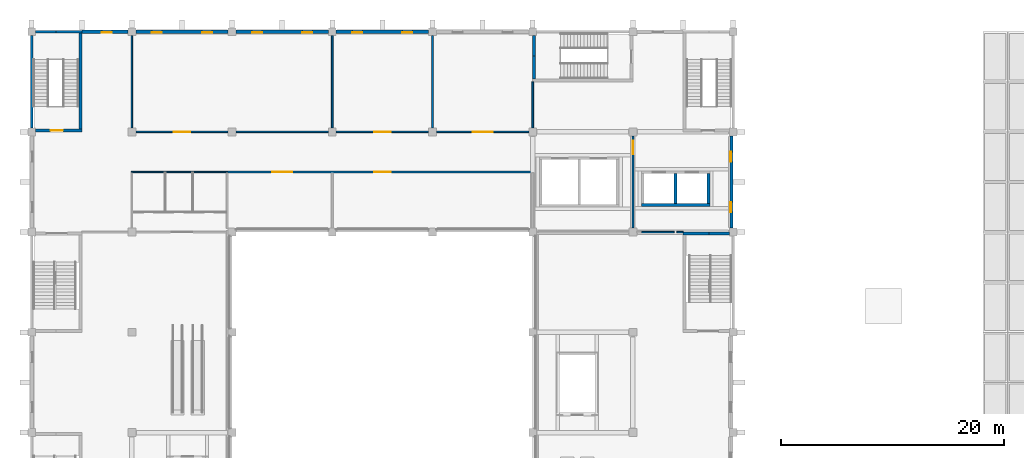
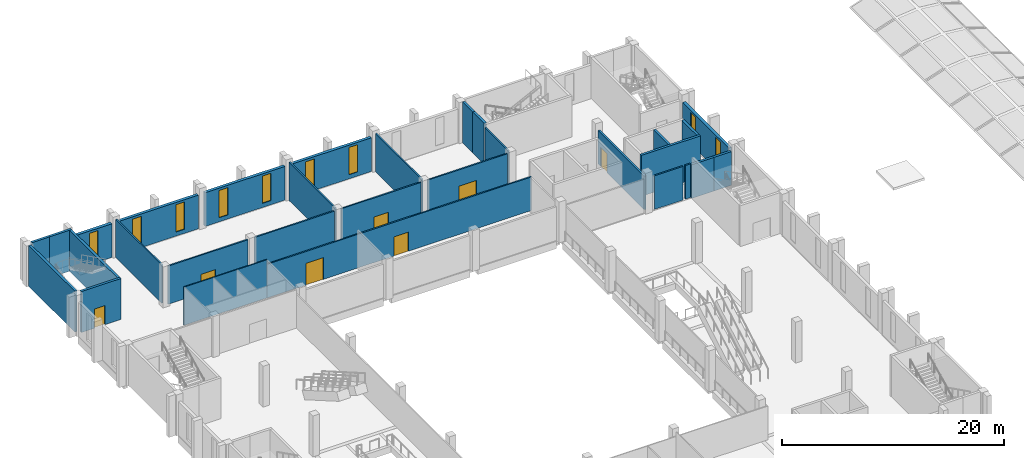
# One storey, part 29 of 45: 30 walls, 9 windows, 7 doors, 16 openings.
"""IFC4 building model written with IfcOpenShell, lengths in metres."""

from ifc_helpers import new_model, si_unit, direction, frame, frame_2d, origin, place, context, subcontext, project, spatial, rectangle, extrude, material, layer, layer_set, type_object, element, fill, save


model = new_model("IFC4")

# Units and contexts
model_context = context("Model", 3, precision=1e-05, world=origin(), true_north=direction((0.0, 1.0)))
body_context = subcontext(model_context, "Body", "Model", "MODEL_VIEW")
ifc_project = project(units=[si_unit("LENGTHUNIT", "METRE"), si_unit("AREAUNIT", "SQUARE_METRE"), si_unit("VOLUMEUNIT", "CUBIC_METRE"), si_unit("PLANEANGLEUNIT", "RADIAN"), si_unit("MASSUNIT", "GRAM", prefix="KILO")], contexts=[model_context])

# Site, building, storey
site_placement = place(None, origin())
site = spatial("IfcSite", under=ifc_project, at=site_placement, CompositionType="ELEMENT")
building_placement = place(site_placement, origin())
building = spatial("IfcBuilding", under=site, at=building_placement, Name="Guidao Yard Department Store", CompositionType="ELEMENT")
storey_placement = place(building_placement, frame((0.0, 0.0, 19.5)))
storey = spatial("IfcBuildingStorey", under=building, at=storey_placement, Name="L04", CompositionType="ELEMENT", Elevation=19.5)

# Wall, opening, door
ifc_material_1 = material(Name="Concrete block MU10", Category="concrete")
ifc_layer_1 = layer(ifc_material_1, 0.199951171875)
ifc_layer_set_1 = layer_set([ifc_layer_1], Name="Fire Wall P3 200 mm blockwork EI 120")
wall_type_1 = type_object("IfcWallType", Name="Fire Wall P3 200 mm blockwork EI 120", PredefinedType="PARTITIONING", material=ifc_layer_set_1)
wall_1_placement = place(storey_placement, frame((54.0, 90.35009765625, 0.0), z_axis=(0.0, 0.0, 1.0), x_axis=(0.0, 1.0, 0.0)))
wall_1 = element("IfcWall", 1, at=wall_1_placement, inside=storey, type_object=wall_type_1, Name="Wall W-HL04-022", PredefinedType="PARTITIONING", context=body_context, shape_type="SweptSolid", body=[
    extrude(rectangle(XDim=8.2998046875, YDim=0.199951171875, at=frame_2d((4.14990234375, 0.0))), origin(), (0.0, 0.0, 1.0), 3.699951171875),
])
opening_1_placement = place(wall_1_placement, frame((7.849853515625, 0.0, 0.0), z_axis=(0.0, 0.0, 1.0), x_axis=(-1.0, 0.0, 0.0)))
opening_1 = element("IfcOpeningElement", 2, at=opening_1_placement, cuts=wall_1, Name="Opening HL04-011", PredefinedType="OPENING", context=body_context, shape_type="SweptSolid", body=[
    extrude(rectangle(XDim=1.199951171875, YDim=2.10009765625, at=frame_2d((0.60009765625, 1.050048828125))), frame((0.0, 0.10986328125, 0.0), z_axis=(0.0, -1.0, 0.0), x_axis=(1.0, 0.0, 0.0)), (0.0, 0.0, 1.0), 0.219970703125),
])
ifc_material_2 = material(Name="Steel Q235", Category="steel")
door_type_1 = type_object("IfcDoorType", Name="Door FD21 lobby 1200 x 2100 FD90 self-closing", OperationType="SINGLE_SWING_LEFT", PredefinedType="DOOR", material=ifc_material_2)
door_1_placement = place(opening_1_placement, origin())
door_1 = element("IfcDoor", 3, at=door_1_placement, inside=storey, type_object=door_type_1, Name="Door HL04-011", OperationType="SINGLE_SWING_LEFT", OverallHeight=2.10009765625, OverallWidth=1.199951171875, PredefinedType="DOOR", context=body_context, shape_type="SweptSolid", body=[
    extrude(rectangle(XDim=1.199951171875, YDim=2.10009765625, at=frame_2d((0.60009765625, 1.050048828125))), frame((0.0, 0.02490234375, 0.0), z_axis=(0.0, -1.0, 0.0), x_axis=(1.0, 0.0, 0.0)), (0.0, 0.0, 1.0), 0.050048828125),
])
fill(opening_1, door_1)

# Wall, opening, window
ifc_material_3 = material(Name="Concrete C35", Category="concrete")
ifc_layer_2 = layer(ifc_material_3, 0.300048828125)
ifc_layer_set_2 = layer_set([ifc_layer_2], Name="Hall facade wall 300 C35")
wall_type_2 = type_object("IfcWallType", Name="Hall facade wall 300 C35", PredefinedType="SOLIDWALL", material=ifc_layer_set_2)
wall_2_placement = place(storey_placement, frame((4.5, 108.0, 0.0), z_axis=(0.0, 0.0, 1.0), x_axis=(1.0, 0.0, 0.0)))
wall_2 = element("IfcWall", 4, at=wall_2_placement, inside=storey, type_object=wall_type_2, Name="Hall facade wall", PredefinedType="SOLIDWALL", context=body_context, shape_type="SweptSolid", body=[
    extrude(rectangle(XDim=4.14990234375, YDim=0.300048828125, at=frame_2d((2.074951171875, 0.0))), origin(), (0.0, 0.0, 1.0), 3.699951171875),
])
opening_2_placement = place(wall_2_placement, frame((1.800048828125, 0.0, 0.449951171875)))
opening_2 = element("IfcOpeningElement", 5, at=opening_2_placement, cuts=wall_2, Name="Opening WN-L04-E09", PredefinedType="OPENING", context=body_context, shape_type="SweptSolid", body=[
    extrude(rectangle(XDim=0.89990234375, YDim=3.0, at=frame_2d((0.449951171875, 1.5))), frame((0.0, 0.159912109375, 0.0), z_axis=(0.0, -1.0, 0.0), x_axis=(1.0, 0.0, 0.0)), (0.0, 0.0, 1.0), 0.320068359375),
])
ifc_material_4 = material(Name="Laminated glass in aluminium frame", Category="aluminium")
window_type = type_object("IfcWindowType", Name="Slot window SL1 900 x 3000 fixed", PartitioningType="SINGLE_PANEL", PredefinedType="WINDOW", material=ifc_material_4)
window_1_placement = place(opening_2_placement, origin())
window_1 = element("IfcWindow", 6, at=window_1_placement, inside=storey, type_object=window_type, Name="Slot window", OverallHeight=3.0, OverallWidth=0.89990234375, PartitioningType="SINGLE_PANEL", PredefinedType="WINDOW", context=body_context, shape_type="SweptSolid", body=[
    extrude(rectangle(XDim=0.89990234375, YDim=3.0, at=frame_2d((0.449951171875, 1.5))), frame((0.0, -0.030029296875, 0.0), z_axis=(0.0, -1.0, 0.0), x_axis=(1.0, 0.0, 0.0)), (0.0, 0.0, 1.0), 0.06005859375),
])
fill(opening_2, window_1)

# Wall, openings, windows
wall_3_placement = place(storey_placement, frame((9.35009765625, 108.0, 0.0), z_axis=(0.0, 0.0, 1.0), x_axis=(1.0, 0.0, 0.0)))
wall_3 = element("IfcWall", 7, at=wall_3_placement, inside=storey, type_object=wall_type_2, Name="Hall facade wall", PredefinedType="SOLIDWALL", context=body_context, shape_type="SweptSolid", body=[
    extrude(rectangle(XDim=8.2998046875, YDim=0.300048828125, at=frame_2d((4.14990234375, 0.0))), origin(), (0.0, 0.0, 1.0), 3.699951171875),
])
opening_3_placement = place(wall_3_placement, frame((1.449951171875, 0.0, 0.449951171875)))
opening_3 = element("IfcOpeningElement", 8, at=opening_3_placement, cuts=wall_3, Name="Opening WN-L04-E10", PredefinedType="OPENING", context=body_context, shape_type="SweptSolid", body=[
    extrude(rectangle(XDim=0.89990234375, YDim=3.0, at=frame_2d((0.449951171875, 1.5))), frame((0.0, 0.159912109375, 0.0), z_axis=(0.0, -1.0, 0.0), x_axis=(1.0, 0.0, 0.0)), (0.0, 0.0, 1.0), 0.320068359375),
])
opening_4_placement = place(wall_3_placement, frame((5.949951171875, 0.0, 0.449951171875)))
opening_4 = element("IfcOpeningElement", 9, at=opening_4_placement, cuts=wall_3, Name="Opening WN-L04-E11", PredefinedType="OPENING", context=body_context, shape_type="SweptSolid", body=[
    extrude(rectangle(XDim=0.89990234375, YDim=3.0, at=frame_2d((0.449951171875, 1.5))), frame((0.0, 0.159912109375, 0.0), z_axis=(0.0, -1.0, 0.0), x_axis=(1.0, 0.0, 0.0)), (0.0, 0.0, 1.0), 0.320068359375),
])
window_2_placement = place(opening_3_placement, origin())
window_2 = element("IfcWindow", 10, at=window_2_placement, inside=storey, type_object=window_type, Name="Slot window", OverallHeight=3.0, OverallWidth=0.89990234375, PartitioningType="SINGLE_PANEL", PredefinedType="WINDOW", context=body_context, shape_type="SweptSolid", body=[
    extrude(rectangle(XDim=0.89990234375, YDim=3.0, at=frame_2d((0.449951171875, 1.5))), frame((0.0, -0.030029296875, 0.0), z_axis=(0.0, -1.0, 0.0), x_axis=(1.0, 0.0, 0.0)), (0.0, 0.0, 1.0), 0.06005859375),
])
fill(opening_3, window_2)
window_3_placement = place(opening_4_placement, origin())
window_3 = element("IfcWindow", 11, at=window_3_placement, inside=storey, type_object=window_type, Name="Slot window", OverallHeight=3.0, OverallWidth=0.89990234375, PartitioningType="SINGLE_PANEL", PredefinedType="WINDOW", context=body_context, shape_type="SweptSolid", body=[
    extrude(rectangle(XDim=0.89990234375, YDim=3.0, at=frame_2d((0.449951171875, 1.5))), frame((0.0, -0.030029296875, 0.0), z_axis=(0.0, -1.0, 0.0), x_axis=(1.0, 0.0, 0.0)), (0.0, 0.0, 1.0), 0.06005859375),
])
fill(opening_4, window_3)

wall_4_placement = place(storey_placement, frame((18.35009765625, 108.0, 0.0), z_axis=(0.0, 0.0, 1.0), x_axis=(1.0, 0.0, 0.0)))
wall_4 = element("IfcWall", 12, at=wall_4_placement, inside=storey, type_object=wall_type_2, Name="Hall facade wall", PredefinedType="SOLIDWALL", context=body_context, shape_type="SweptSolid", body=[
    extrude(rectangle(XDim=8.2998046875, YDim=0.300048828125, at=frame_2d((4.14990234375, 0.0))), origin(), (0.0, 0.0, 1.0), 3.699951171875),
])
opening_5_placement = place(wall_4_placement, frame((1.449951171875, 0.0, 0.449951171875)))
opening_5 = element("IfcOpeningElement", 13, at=opening_5_placement, cuts=wall_4, Name="Opening WN-L04-E12", PredefinedType="OPENING", context=body_context, shape_type="SweptSolid", body=[
    extrude(rectangle(XDim=0.89990234375, YDim=3.0, at=frame_2d((0.449951171875, 1.5))), frame((0.0, 0.159912109375, 0.0), z_axis=(0.0, -1.0, 0.0), x_axis=(1.0, 0.0, 0.0)), (0.0, 0.0, 1.0), 0.320068359375),
])
opening_6_placement = place(wall_4_placement, frame((5.949951171875, 0.0, 0.449951171875)))
opening_6 = element("IfcOpeningElement", 14, at=opening_6_placement, cuts=wall_4, Name="Opening WN-L04-E13", PredefinedType="OPENING", context=body_context, shape_type="SweptSolid", body=[
    extrude(rectangle(XDim=0.89990234375, YDim=3.0, at=frame_2d((0.449951171875, 1.5))), frame((0.0, 0.159912109375, 0.0), z_axis=(0.0, -1.0, 0.0), x_axis=(1.0, 0.0, 0.0)), (0.0, 0.0, 1.0), 0.320068359375),
])
window_4_placement = place(opening_5_placement, origin())
window_4 = element("IfcWindow", 15, at=window_4_placement, inside=storey, type_object=window_type, Name="Slot window", OverallHeight=3.0, OverallWidth=0.89990234375, PartitioningType="SINGLE_PANEL", PredefinedType="WINDOW", context=body_context, shape_type="SweptSolid", body=[
    extrude(rectangle(XDim=0.89990234375, YDim=3.0, at=frame_2d((0.449951171875, 1.5))), frame((0.0, -0.030029296875, 0.0), z_axis=(0.0, -1.0, 0.0), x_axis=(1.0, 0.0, 0.0)), (0.0, 0.0, 1.0), 0.06005859375),
])
fill(opening_5, window_4)
window_5_placement = place(opening_6_placement, origin())
window_5 = element("IfcWindow", 16, at=window_5_placement, inside=storey, type_object=window_type, Name="Slot window", OverallHeight=3.0, OverallWidth=0.89990234375, PartitioningType="SINGLE_PANEL", PredefinedType="WINDOW", context=body_context, shape_type="SweptSolid", body=[
    extrude(rectangle(XDim=0.89990234375, YDim=3.0, at=frame_2d((0.449951171875, 1.5))), frame((0.0, -0.030029296875, 0.0), z_axis=(0.0, -1.0, 0.0), x_axis=(1.0, 0.0, 0.0)), (0.0, 0.0, 1.0), 0.06005859375),
])
fill(opening_6, window_5)

wall_5_placement = place(storey_placement, frame((27.35009765625, 108.0, 0.0), z_axis=(0.0, 0.0, 1.0), x_axis=(1.0, 0.0, 0.0)))
wall_5 = element("IfcWall", 17, at=wall_5_placement, inside=storey, type_object=wall_type_2, Name="Hall facade wall", PredefinedType="SOLIDWALL", context=body_context, shape_type="SweptSolid", body=[
    extrude(rectangle(XDim=8.2998046875, YDim=0.300048828125, at=frame_2d((4.14990234375, 0.0))), origin(), (0.0, 0.0, 1.0), 3.699951171875),
])
opening_7_placement = place(wall_5_placement, frame((1.449951171875, 0.0, 0.449951171875)))
opening_7 = element("IfcOpeningElement", 18, at=opening_7_placement, cuts=wall_5, Name="Opening WN-L04-E14", PredefinedType="OPENING", context=body_context, shape_type="SweptSolid", body=[
    extrude(rectangle(XDim=0.89990234375, YDim=3.0, at=frame_2d((0.449951171875, 1.5))), frame((0.0, 0.159912109375, 0.0), z_axis=(0.0, -1.0, 0.0), x_axis=(1.0, 0.0, 0.0)), (0.0, 0.0, 1.0), 0.320068359375),
])
opening_8_placement = place(wall_5_placement, frame((5.949951171875, 0.0, 0.449951171875)))
opening_8 = element("IfcOpeningElement", 19, at=opening_8_placement, cuts=wall_5, Name="Opening WN-L04-E15", PredefinedType="OPENING", context=body_context, shape_type="SweptSolid", body=[
    extrude(rectangle(XDim=0.89990234375, YDim=3.0, at=frame_2d((0.449951171875, 1.5))), frame((0.0, 0.159912109375, 0.0), z_axis=(0.0, -1.0, 0.0), x_axis=(1.0, 0.0, 0.0)), (0.0, 0.0, 1.0), 0.320068359375),
])
window_6_placement = place(opening_7_placement, origin())
window_6 = element("IfcWindow", 20, at=window_6_placement, inside=storey, type_object=window_type, Name="Slot window", OverallHeight=3.0, OverallWidth=0.89990234375, PartitioningType="SINGLE_PANEL", PredefinedType="WINDOW", context=body_context, shape_type="SweptSolid", body=[
    extrude(rectangle(XDim=0.89990234375, YDim=3.0, at=frame_2d((0.449951171875, 1.5))), frame((0.0, -0.030029296875, 0.0), z_axis=(0.0, -1.0, 0.0), x_axis=(1.0, 0.0, 0.0)), (0.0, 0.0, 1.0), 0.06005859375),
])
fill(opening_7, window_6)
window_7_placement = place(opening_8_placement, origin())
window_7 = element("IfcWindow", 21, at=window_7_placement, inside=storey, type_object=window_type, Name="Slot window", OverallHeight=3.0, OverallWidth=0.89990234375, PartitioningType="SINGLE_PANEL", PredefinedType="WINDOW", context=body_context, shape_type="SweptSolid", body=[
    extrude(rectangle(XDim=0.89990234375, YDim=3.0, at=frame_2d((0.449951171875, 1.5))), frame((0.0, -0.030029296875, 0.0), z_axis=(0.0, -1.0, 0.0), x_axis=(1.0, 0.0, 0.0)), (0.0, 0.0, 1.0), 0.06005859375),
])
fill(opening_8, window_7)

wall_6_placement = place(storey_placement, frame((62.85009765625, 98.64990234375, 0.0), z_axis=(0.0, 0.0, 1.0), x_axis=(0.0, -1.0, 0.0)))
wall_6 = element("IfcWall", 22, at=wall_6_placement, inside=storey, type_object=wall_type_2, Name="Hall facade wall", PredefinedType="SOLIDWALL", context=body_context, shape_type="SweptSolid", body=[
    extrude(rectangle(XDim=8.2998046875, YDim=0.300048828125, at=frame_2d((4.14990234375, 0.0))), origin(), (0.0, 0.0, 1.0), 3.699951171875),
])
opening_9_placement = place(wall_6_placement, frame((5.949951171875, 0.0, 0.449951171875)))
opening_9 = element("IfcOpeningElement", 23, at=opening_9_placement, cuts=wall_6, Name="Opening WN-L04-E25", PredefinedType="OPENING", context=body_context, shape_type="SweptSolid", body=[
    extrude(rectangle(XDim=0.89990234375, YDim=3.0, at=frame_2d((0.449951171875, 1.5))), frame((0.0, 0.159912109375, 0.0), z_axis=(0.0, -1.0, 0.0), x_axis=(1.0, 0.0, 0.0)), (0.0, 0.0, 1.0), 0.320068359375),
])
opening_10_placement = place(wall_6_placement, frame((1.449951171875, 0.0, 0.449951171875)))
opening_10 = element("IfcOpeningElement", 24, at=opening_10_placement, cuts=wall_6, Name="Opening WN-L04-E26", PredefinedType="OPENING", context=body_context, shape_type="SweptSolid", body=[
    extrude(rectangle(XDim=0.89990234375, YDim=3.0, at=frame_2d((0.449951171875, 1.5))), frame((0.0, 0.159912109375, 0.0), z_axis=(0.0, -1.0, 0.0), x_axis=(1.0, 0.0, 0.0)), (0.0, 0.0, 1.0), 0.320068359375),
])
window_8_placement = place(opening_9_placement, origin())
window_8 = element("IfcWindow", 25, at=window_8_placement, inside=storey, type_object=window_type, Name="Slot window", OverallHeight=3.0, OverallWidth=0.89990234375, PartitioningType="SINGLE_PANEL", PredefinedType="WINDOW", context=body_context, shape_type="SweptSolid", body=[
    extrude(rectangle(XDim=0.89990234375, YDim=3.0, at=frame_2d((0.449951171875, 1.5))), frame((0.0, -0.030029296875, 0.0), z_axis=(0.0, -1.0, 0.0), x_axis=(1.0, 0.0, 0.0)), (0.0, 0.0, 1.0), 0.06005859375),
])
fill(opening_9, window_8)
window_9_placement = place(opening_10_placement, origin())
window_9 = element("IfcWindow", 26, at=window_9_placement, inside=storey, type_object=window_type, Name="Slot window", OverallHeight=3.0, OverallWidth=0.89990234375, PartitioningType="SINGLE_PANEL", PredefinedType="WINDOW", context=body_context, shape_type="SweptSolid", body=[
    extrude(rectangle(XDim=0.89990234375, YDim=3.0, at=frame_2d((0.449951171875, 1.5))), frame((0.0, -0.030029296875, 0.0), z_axis=(0.0, -1.0, 0.0), x_axis=(1.0, 0.0, 0.0)), (0.0, 0.0, 1.0), 0.06005859375),
])
fill(opening_10, window_9)

# Walls
ifc_material_5 = material(Name="Gypsum board on Steel Q235 studs", Category="steel")
ifc_layer_3 = layer(ifc_material_5, 0.10009765625)
ifc_layer_set_3 = layer_set([ifc_layer_3], Name="Partition P1 100 mm gypsum board EI 30")
wall_type_3 = type_object("IfcWallType", Name="Partition P1 100 mm gypsum board EI 30", PredefinedType="PARTITIONING", material=ifc_layer_set_3)
wall_7_placement = place(storey_placement, frame((8.949951171875, 95.39990234375, 0.0), z_axis=(0.0, 0.0, 1.0), x_axis=(1.0, 0.0, 0.0)))
element("IfcWall", 27, at=wall_7_placement, inside=storey, type_object=wall_type_3, Name="Wall W-HL04-027", PredefinedType="PARTITIONING", context=body_context, shape_type="SweptSolid", body=[
    extrude(rectangle(XDim=8.60009765625, YDim=0.10009765625, at=frame_2d((4.300048828125, 0.0))), origin(), (0.0, 0.0, 1.0), 4.199951171875),
])
ifc_material_6 = material(Name="Concrete block MU10", Category="concrete")
ifc_layer_4 = layer(ifc_material_6, 0.14990234375)
ifc_layer_set_4 = layer_set([ifc_layer_4], Name="Wall P2 150 mm blockwork EI 60")
wall_type_4 = type_object("IfcWallType", Name="Wall P2 150 mm blockwork EI 60", PredefinedType="PARTITIONING", material=ifc_layer_set_4)
wall_8_placement = place(storey_placement, frame((54.75, 90.0, 0.0), z_axis=(0.0, 0.0, 1.0), x_axis=(1.0, 0.0, 0.0)))
element("IfcWall", 28, at=wall_8_placement, inside=storey, type_object=wall_type_4, Name="Wall W-HL04-013", PredefinedType="PARTITIONING", context=body_context, shape_type="SweptSolid", body=[
    extrude(rectangle(XDim=2.949951171875, YDim=0.14990234375, at=frame_2d((1.47509765625, 0.0))), origin(), (0.0, 0.0, 1.0), 3.699951171875),
])
wall_9_placement = place(storey_placement, frame((57.949951171875, 90.0, 0.0), z_axis=(0.0, 0.0, 1.0), x_axis=(1.0, 0.0, 0.0)))
element("IfcWall", 29, at=wall_9_placement, inside=storey, type_object=wall_type_4, Name="Wall W-HL04-014", PredefinedType="PARTITIONING", context=body_context, shape_type="SweptSolid", body=[
    extrude(rectangle(XDim=0.550048828125, YDim=0.14990234375, at=frame_2d((0.27490234375, 0.0))), origin(), (0.0, 0.0, 1.0), 3.699951171875),
])

# Wall, openings, doors
wall_10_placement = place(storey_placement, frame((17.550048828125, 95.39990234375, 0.0), z_axis=(0.0, 0.0, 1.0), x_axis=(1.0, 0.0, 0.0)))
wall_10 = element("IfcWall", 30, at=wall_10_placement, inside=storey, type_object=wall_type_4, Name="Wall W-HL04-026", PredefinedType="PARTITIONING", context=body_context, shape_type="SweptSolid", body=[
    extrude(rectangle(XDim=27.52490234375, YDim=0.14990234375, at=frame_2d((13.762451171875, 0.0))), origin(), (0.0, 0.0, 1.0), 3.699951171875),
])
opening_11_placement = place(wall_10_placement, frame((5.85009765625, 0.0, 0.0), z_axis=(0.0, 0.0, 1.0), x_axis=(-1.0, 0.0, 0.0)))
opening_11 = element("IfcOpeningElement", 31, at=opening_11_placement, cuts=wall_10, Name="Opening HL04-009", PredefinedType="OPENING", context=body_context, shape_type="SweptSolid", body=[
    extrude(rectangle(XDim=1.800048828125, YDim=2.39990234375, at=frame_2d((0.89990234375, 1.199951171875))), frame((0.0, 0.0849609375, 0.0), z_axis=(0.0, -1.0, 0.0), x_axis=(1.0, 0.0, 0.0)), (0.0, 0.0, 1.0), 0.169921875),
])
opening_12_placement = place(wall_10_placement, frame((14.699951171875, 0.0, 0.0), z_axis=(0.0, 0.0, 1.0), x_axis=(-1.0, 0.0, 0.0)))
opening_12 = element("IfcOpeningElement", 32, at=opening_12_placement, cuts=wall_10, Name="Opening HL04-010", PredefinedType="OPENING", context=body_context, shape_type="SweptSolid", body=[
    extrude(rectangle(XDim=1.5, YDim=2.10009765625, at=frame_2d((0.75, 1.050048828125))), frame((0.0, 0.0849609375, 0.0), z_axis=(0.0, -1.0, 0.0), x_axis=(1.0, 0.0, 0.0)), (0.0, 0.0, 1.0), 0.169921875),
])
ifc_material_7 = material(Name="Steel Q235", Category="steel")
door_type_2 = type_object("IfcDoorType", Name="Door FD11 trolley double 1500 x 2100 FD60", OperationType="DOUBLE_DOOR_SINGLE_SWING", PredefinedType="DOOR", material=ifc_material_7)
door_2_placement = place(opening_12_placement, origin())
door_2 = element("IfcDoor", 33, at=door_2_placement, inside=storey, type_object=door_type_2, Name="Door HL04-010", OperationType="DOUBLE_DOOR_SINGLE_SWING", OverallHeight=2.10009765625, OverallWidth=1.5, PredefinedType="DOOR", context=body_context, shape_type="SweptSolid", body=[
    extrude(rectangle(XDim=1.5, YDim=2.10009765625, at=frame_2d((0.75, 1.050048828125))), frame((0.0, 0.02490234375, 0.0), z_axis=(0.0, -1.0, 0.0), x_axis=(1.0, 0.0, 0.0)), (0.0, 0.0, 1.0), 0.050048828125),
])
fill(opening_12, door_2)
ifc_material_8 = material(Name="Steel Q235", Category="steel")
door_type_3 = type_object("IfcDoorType", Name="Door FD12 pallet double 1800 x 2400 FD60", OperationType="DOUBLE_DOOR_SINGLE_SWING", PredefinedType="DOOR", material=ifc_material_8)
door_3_placement = place(opening_11_placement, origin())
door_3 = element("IfcDoor", 34, at=door_3_placement, inside=storey, type_object=door_type_3, Name="Door HL04-009", OperationType="DOUBLE_DOOR_SINGLE_SWING", OverallHeight=2.39990234375, OverallWidth=1.800048828125, PredefinedType="DOOR", context=body_context, shape_type="SweptSolid", body=[
    extrude(rectangle(XDim=1.800048828125, YDim=2.39990234375, at=frame_2d((0.89990234375, 1.199951171875))), frame((0.0, 0.02490234375, 0.0), z_axis=(0.0, -1.0, 0.0), x_axis=(1.0, 0.0, 0.0)), (0.0, 0.0, 1.0), 0.050048828125),
])
fill(opening_11, door_3)

# Wall, opening, door
wall_11_placement = place(storey_placement, frame((9.35009765625, 99.0, 0.0), z_axis=(0.0, 0.0, 1.0), x_axis=(1.0, 0.0, 0.0)))
wall_11 = element("IfcWall", 35, at=wall_11_placement, inside=storey, type_object=wall_type_4, Name="Wall W-HL04-028", PredefinedType="PARTITIONING", context=body_context, shape_type="SweptSolid", body=[
    extrude(rectangle(XDim=8.2998046875, YDim=0.14990234375, at=frame_2d((4.14990234375, 0.0))), origin(), (0.0, 0.0, 1.0), 4.199951171875),
])
opening_13_placement = place(wall_11_placement, frame((3.39990234375, 0.0, 0.0)))
opening_13 = element("IfcOpeningElement", 36, at=opening_13_placement, cuts=wall_11, Name="Opening HL04-012", PredefinedType="OPENING", context=body_context, shape_type="SweptSolid", body=[
    extrude(rectangle(XDim=1.5, YDim=2.10009765625, at=frame_2d((0.75, 1.050048828125))), frame((0.0, 0.0849609375, 0.0), z_axis=(0.0, -1.0, 0.0), x_axis=(1.0, 0.0, 0.0)), (0.0, 0.0, 1.0), 0.169921875),
])
door_4_placement = place(opening_13_placement, origin())
door_4 = element("IfcDoor", 37, at=door_4_placement, inside=storey, type_object=door_type_2, Name="Door HL04-012", OperationType="DOUBLE_DOOR_SINGLE_SWING", OverallHeight=2.10009765625, OverallWidth=1.5, PredefinedType="DOOR", context=body_context, shape_type="SweptSolid", body=[
    extrude(rectangle(XDim=1.5, YDim=2.10009765625, at=frame_2d((0.75, 1.050048828125))), frame((0.0, 0.02490234375, 0.0), z_axis=(0.0, -1.0, 0.0), x_axis=(1.0, 0.0, 0.0)), (0.0, 0.0, 1.0), 0.050048828125),
])
fill(opening_13, door_4)

# Wall
wall_12_placement = place(storey_placement, frame((18.35009765625, 99.0, 0.0), z_axis=(0.0, 0.0, 1.0), x_axis=(1.0, 0.0, 0.0)))
element("IfcWall", 38, at=wall_12_placement, inside=storey, type_object=wall_type_4, Name="Wall W-HL04-029", PredefinedType="PARTITIONING", context=body_context, shape_type="SweptSolid", body=[
    extrude(rectangle(XDim=8.2998046875, YDim=0.14990234375, at=frame_2d((4.14990234375, 0.0))), origin(), (0.0, 0.0, 1.0), 4.199951171875),
])

# Wall, opening, door
wall_13_placement = place(storey_placement, frame((27.35009765625, 99.0, 0.0), z_axis=(0.0, 0.0, 1.0), x_axis=(1.0, 0.0, 0.0)))
wall_13 = element("IfcWall", 39, at=wall_13_placement, inside=storey, type_object=wall_type_4, Name="Wall W-HL04-030", PredefinedType="PARTITIONING", context=body_context, shape_type="SweptSolid", body=[
    extrude(rectangle(XDim=8.2998046875, YDim=0.14990234375, at=frame_2d((4.14990234375, 0.0))), origin(), (0.0, 0.0, 1.0), 4.199951171875),
])
opening_14_placement = place(wall_13_placement, frame((3.39990234375, 0.0, 0.0)))
opening_14 = element("IfcOpeningElement", 40, at=opening_14_placement, cuts=wall_13, Name="Opening HL04-013", PredefinedType="OPENING", context=body_context, shape_type="SweptSolid", body=[
    extrude(rectangle(XDim=1.5, YDim=2.10009765625, at=frame_2d((0.75, 1.050048828125))), frame((0.0, 0.0849609375, 0.0), z_axis=(0.0, -1.0, 0.0), x_axis=(1.0, 0.0, 0.0)), (0.0, 0.0, 1.0), 0.169921875),
])
door_5_placement = place(opening_14_placement, origin())
door_5 = element("IfcDoor", 41, at=door_5_placement, inside=storey, type_object=door_type_2, Name="Door HL04-013", OperationType="DOUBLE_DOOR_SINGLE_SWING", OverallHeight=2.10009765625, OverallWidth=1.5, PredefinedType="DOOR", context=body_context, shape_type="SweptSolid", body=[
    extrude(rectangle(XDim=1.5, YDim=2.10009765625, at=frame_2d((0.75, 1.050048828125))), frame((0.0, 0.02490234375, 0.0), z_axis=(0.0, -1.0, 0.0), x_axis=(1.0, 0.0, 0.0)), (0.0, 0.0, 1.0), 0.050048828125),
])
fill(opening_14, door_5)

wall_14_placement = place(storey_placement, frame((36.35009765625, 99.0, 0.0), z_axis=(0.0, 0.0, 1.0), x_axis=(1.0, 0.0, 0.0)))
wall_14 = element("IfcWall", 42, at=wall_14_placement, inside=storey, type_object=wall_type_4, Name="Wall W-HL04-031", PredefinedType="PARTITIONING", context=body_context, shape_type="SweptSolid", body=[
    extrude(rectangle(XDim=8.2998046875, YDim=0.14990234375, at=frame_2d((4.14990234375, 0.0))), origin(), (0.0, 0.0, 1.0), 4.199951171875),
])
opening_15_placement = place(wall_14_placement, frame((3.25, 0.0, 0.0)))
opening_15 = element("IfcOpeningElement", 43, at=opening_15_placement, cuts=wall_14, Name="Opening HL04-014", PredefinedType="OPENING", context=body_context, shape_type="SweptSolid", body=[
    extrude(rectangle(XDim=1.800048828125, YDim=2.39990234375, at=frame_2d((0.89990234375, 1.199951171875))), frame((0.0, 0.0849609375, 0.0), z_axis=(0.0, -1.0, 0.0), x_axis=(1.0, 0.0, 0.0)), (0.0, 0.0, 1.0), 0.169921875),
])
door_6_placement = place(opening_15_placement, origin())
door_6 = element("IfcDoor", 44, at=door_6_placement, inside=storey, type_object=door_type_3, Name="Door HL04-014", OperationType="DOUBLE_DOOR_SINGLE_SWING", OverallHeight=2.39990234375, OverallWidth=1.800048828125, PredefinedType="DOOR", context=body_context, shape_type="SweptSolid", body=[
    extrude(rectangle(XDim=1.800048828125, YDim=2.39990234375, at=frame_2d((0.89990234375, 1.199951171875))), frame((0.0, 0.02490234375, 0.0), z_axis=(0.0, -1.0, 0.0), x_axis=(1.0, 0.0, 0.0)), (0.0, 0.0, 1.0), 0.050048828125),
])
fill(opening_15, door_6)

# Walls
for number, where, z_axis, x_axis, name in (
    (45, (9.0, 99.35009765625, 0.0), (0.0, 0.0, 1.0), (0.0, 1.0, 0.0), "Wall W-HL04-032"),
    (46, (27.0, 99.35009765625, 0.0), (0.0, 0.0, 1.0), (0.0, 1.0, 0.0), "Wall W-HL04-033"),
    (47, (36.0, 99.35009765625, 0.0), (0.0, 0.0, 1.0), (0.0, 1.0, 0.0), "Wall W-HL04-034"),
):
    element("IfcWall", number, at=place(storey_placement, frame(where, z_axis=z_axis, x_axis=x_axis)), inside=storey, type_object=wall_type_4, Name=name, PredefinedType="PARTITIONING", context=body_context, shape_type="SweptSolid", body=[
        extrude(rectangle(XDim=8.2998046875, YDim=0.14990234375, at=frame_2d((4.14990234375, 0.0))), origin(), (0.0, 0.0, 1.0), 4.199951171875),
    ])
wall_15_placement = place(storey_placement, frame((45.0, 99.35009765625, 0.0), z_axis=(0.0, 0.0, 1.0), x_axis=(0.0, 1.0, 0.0)))
element("IfcWall", 48, at=wall_15_placement, inside=storey, type_object=wall_type_4, Name="Wall W-HL04-035", PredefinedType="PARTITIONING", context=body_context, shape_type="SweptSolid", body=[
    extrude(rectangle(XDim=4.14990234375, YDim=0.14990234375, at=frame_2d((2.074951171875, 0.0))), origin(), (0.0, 0.0, 1.0), 4.199951171875),
])
ifc_material_9 = material(Name="Concrete C40", Category="concrete")
ifc_layer_5 = layer(ifc_material_9, 0.25)
ifc_layer_set_5 = layer_set([ifc_layer_5], Name="Wall RC 250 C40 stair and shaft")
wall_type_5 = type_object("IfcWallType", Name="Wall RC 250 C40 stair and shaft", PredefinedType="SHEAR", material=ifc_layer_set_5)
wall_16_placement = place(storey_placement, frame((58.5, 89.875, 0.0), z_axis=(0.0, 0.0, 1.0), x_axis=(1.0, 0.0, 0.0)))
element("IfcWall", 49, at=wall_16_placement, inside=storey, type_object=wall_type_5, Name="Stair wall SA4", PredefinedType="SHEAR", context=body_context, shape_type="SweptSolid", body=[
    extrude(rectangle(XDim=2.31201171875, YDim=0.25, at=frame_2d((1.156005859375, 0.0))), origin(), (0.0, 0.0, 1.0), 3.699951171875),
])
wall_17_placement = place(storey_placement, frame((60.81201171875, 89.875, 0.0), z_axis=(0.0, 0.0, 1.0), x_axis=(1.0, 0.0, 0.0)))
element("IfcWall", 50, at=wall_17_placement, inside=storey, type_object=wall_type_5, Name="Stair wall SA4", PredefinedType="SHEAR", context=body_context, shape_type="SweptSolid", body=[
    extrude(rectangle(XDim=1.837890625, YDim=0.25, at=frame_2d((0.9189453125, 0.0))), origin(), (0.0, 0.0, 1.0), 3.699951171875),
])

# Wall, opening, door
wall_18_placement = place(storey_placement, frame((0.35009765625, 99.125, 0.0), z_axis=(0.0, 0.0, 1.0), x_axis=(1.0, 0.0, 0.0)))
wall_18 = element("IfcWall", 51, at=wall_18_placement, inside=storey, type_object=wall_type_5, Name="Stair wall SA5", PredefinedType="SHEAR", context=body_context, shape_type="SweptSolid", body=[
    extrude(rectangle(XDim=4.14990234375, YDim=0.25, at=frame_2d((2.074951171875, 0.0))), origin(), (0.0, 0.0, 1.0), 4.5),
])
opening_16_placement = place(wall_18_placement, frame((1.35009765625, 0.0, 0.0)))
opening_16 = element("IfcOpeningElement", 52, at=opening_16_placement, cuts=wall_18, Name="Opening L04-804", PredefinedType="OPENING", context=body_context, shape_type="SweptSolid", body=[
    extrude(rectangle(XDim=1.10009765625, YDim=2.10009765625, at=frame_2d((0.550048828125, 1.050048828125))), frame((0.0, 0.135009765625, 0.0), z_axis=(0.0, -1.0, 0.0), x_axis=(1.0, 0.0, 0.0)), (0.0, 0.0, 1.0), 0.27001953125),
])
ifc_material_10 = material(Name="Steel Q235", Category="steel")
door_type_4 = type_object("IfcDoorType", Name="Door fire-resisting 1100 x 2100 FD60", OperationType="SINGLE_SWING_LEFT", PredefinedType="DOOR", material=ifc_material_10)
door_7_placement = place(opening_16_placement, origin())
door_7 = element("IfcDoor", 53, at=door_7_placement, inside=storey, type_object=door_type_4, Name="Stair A5 door L04", OperationType="SINGLE_SWING_LEFT", OverallHeight=2.10009765625, OverallWidth=1.10009765625, PredefinedType="DOOR", context=body_context, shape_type="SweptSolid", body=[
    extrude(rectangle(XDim=1.10009765625, YDim=2.10009765625, at=frame_2d((0.550048828125, 1.050048828125))), frame((0.0, 0.02490234375, 0.0), z_axis=(0.0, -1.0, 0.0), x_axis=(1.0, 0.0, 0.0)), (0.0, 0.0, 1.0), 0.050048828125),
])
fill(opening_16, door_7)

# Walls
wall_19_placement = place(storey_placement, frame((0.35009765625, 108.0, 0.0), z_axis=(0.0, 0.0, 1.0), x_axis=(1.0, 0.0, 0.0)))
element("IfcWall", 54, at=wall_19_placement, inside=storey, type_object=wall_type_5, Name="Stair wall SA5", PredefinedType="SHEAR", context=body_context, shape_type="SweptSolid", body=[
    extrude(rectangle(XDim=1.837890625, YDim=0.25, at=frame_2d((0.9189453125, 0.0))), origin(), (0.0, 0.0, 1.0), 4.5),
])
wall_20_placement = place(storey_placement, frame((2.18798828125, 108.0, 0.0), z_axis=(0.0, 0.0, 1.0), x_axis=(1.0, 0.0, 0.0)))
element("IfcWall", 55, at=wall_20_placement, inside=storey, type_object=wall_type_5, Name="Stair wall SA5", PredefinedType="SHEAR", context=body_context, shape_type="SweptSolid", body=[
    extrude(rectangle(XDim=2.31201171875, YDim=0.25, at=frame_2d((1.156005859375, 0.0))), origin(), (0.0, 0.0, 1.0), 4.5),
])
wall_21_placement = place(storey_placement, frame((0.0, 99.35009765625, 0.0), z_axis=(0.0, 0.0, 1.0), x_axis=(0.0, 1.0, 0.0)))
element("IfcWall", 56, at=wall_21_placement, inside=storey, type_object=wall_type_5, Name="Stair wall SA5", PredefinedType="SHEAR", context=body_context, shape_type="SweptSolid", body=[
    extrude(rectangle(XDim=8.2998046875, YDim=0.25, at=frame_2d((4.14990234375, 0.0))), origin(), (0.0, 0.0, 1.0), 4.5),
])
wall_22_placement = place(storey_placement, frame((4.375, 99.25, 0.0), z_axis=(0.0, 0.0, 1.0), x_axis=(0.0, 1.0, 0.0)))
element("IfcWall", 57, at=wall_22_placement, inside=storey, type_object=wall_type_5, Name="Stair wall SA5", PredefinedType="SHEAR", context=body_context, shape_type="SweptSolid", body=[
    extrude(rectangle(XDim=8.625, YDim=0.25, at=frame_2d((4.3125, 0.0))), origin(), (0.0, 0.0, 1.0), 4.5),
])
wall_23_placement = place(storey_placement, frame((45.125, 103.75, 0.0), z_axis=(0.0, 0.0, 1.0), x_axis=(0.0, 1.0, 0.0)))
element("IfcWall", 58, at=wall_23_placement, inside=storey, type_object=wall_type_5, Name="Stair wall SA7", PredefinedType="SHEAR", context=body_context, shape_type="SweptSolid", body=[
    extrude(rectangle(XDim=2.06201171875, YDim=0.25, at=frame_2d((1.031005859375, 0.0))), origin(), (0.0, 0.0, 1.0), 4.5),
])
wall_24_placement = place(storey_placement, frame((45.125, 105.81201171875, 0.0), z_axis=(0.0, 0.0, 1.0), x_axis=(0.0, 1.0, 0.0)))
element("IfcWall", 59, at=wall_24_placement, inside=storey, type_object=wall_type_5, Name="Stair wall SA7", PredefinedType="SHEAR", context=body_context, shape_type="SweptSolid", body=[
    extrude(rectangle(XDim=1.837890625, YDim=0.25, at=frame_2d((0.9189453125, 0.0))), origin(), (0.0, 0.0, 1.0), 4.5),
])
wall_25_placement = place(storey_placement, frame((54.75, 92.425048828125, 0.0), z_axis=(0.0, 0.0, 1.0), x_axis=(1.0, 0.0, 0.0)))
element("IfcWall", 60, at=wall_25_placement, inside=storey, type_object=wall_type_5, Name="Lift shaft wall HF1 to HF2", PredefinedType="SHEAR", context=body_context, shape_type="SweptSolid", body=[
    extrude(rectangle(XDim=6.14990234375, YDim=0.25, at=frame_2d((3.074951171875, 0.0))), origin(), (0.0, 0.0, 1.0), 4.5),
])
for number, where, z_axis, x_axis, name in (
    (61, (57.824951171875, 92.550048828125, 0.0), (0.0, 0.0, 1.0), (0.0, 1.0, 0.0), "Lift shaft wall HF1 to HF2"),
    (62, (60.77490234375, 92.550048828125, 0.0), (0.0, 0.0, 1.0), (0.0, 1.0, 0.0), "Lift shaft wall HF1 to HF2"),
):
    element("IfcWall", number, at=place(storey_placement, frame(where, z_axis=z_axis, x_axis=x_axis)), inside=storey, type_object=wall_type_5, Name=name, PredefinedType="SHEAR", context=body_context, shape_type="SweptSolid", body=[
        extrude(rectangle(XDim=2.699951171875, YDim=0.25, at=frame_2d((1.35009765625, 0.0))), origin(), (0.0, 0.0, 1.0), 4.5),
    ])

save(model, "model.ifc")
